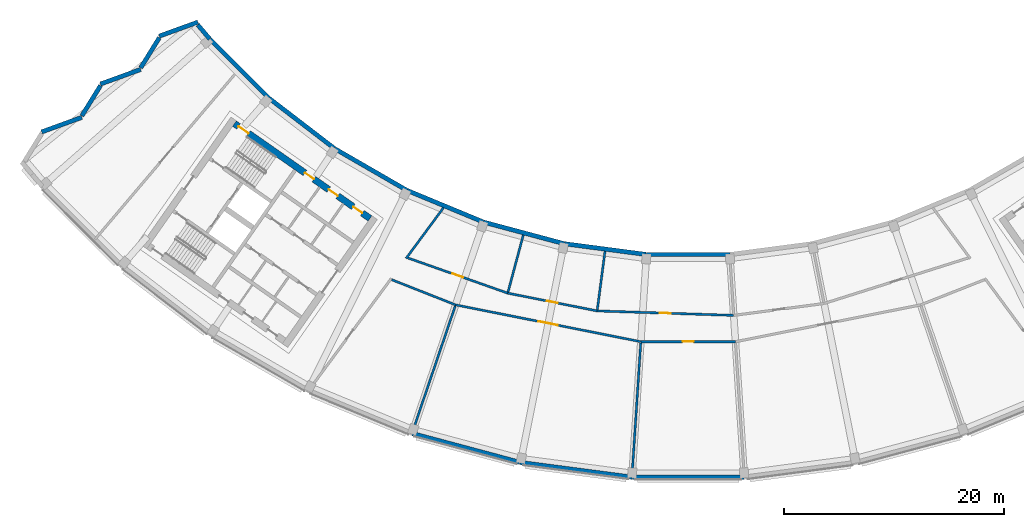
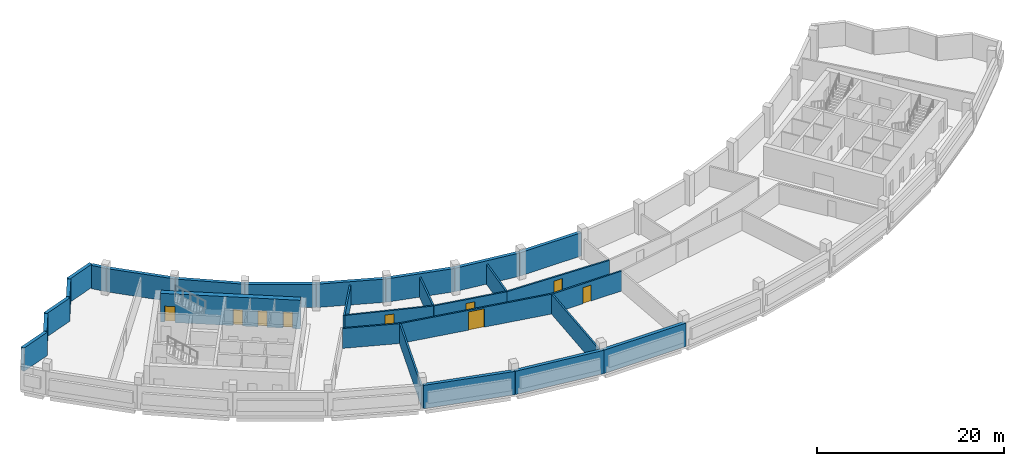
# One storey, part 4 of 11: 28 walls, 9 doors, 9 openings.
"""IFC4 building model written with IfcOpenShell, lengths in metres."""

from ifc_helpers import new_model, si_unit, direction, frame, frame_2d, origin, place, context, subcontext, project, spatial, rectangle, extrude, material, layer, layer_set, type_object, element, fill, save


model = new_model("IFC4")

# Units and contexts
model_context = context("Model", 3, precision=1e-05, world=origin(), true_north=direction((0.0, 1.0)))
body_context = subcontext(model_context, "Body", "Model", "MODEL_VIEW")
ifc_project = project(units=[si_unit("LENGTHUNIT", "METRE"), si_unit("AREAUNIT", "SQUARE_METRE"), si_unit("VOLUMEUNIT", "CUBIC_METRE"), si_unit("PLANEANGLEUNIT", "RADIAN"), si_unit("MASSUNIT", "GRAM", prefix="KILO")], contexts=[model_context])

# Site, building, storey
site_placement = place(None, origin())
site = spatial("IfcSite", under=ifc_project, at=site_placement, CompositionType="ELEMENT")
building_placement = place(site_placement, origin())
building = spatial("IfcBuilding", under=site, at=building_placement, Name="Qamariyya Broadcast Tower", CompositionType="ELEMENT")
storey_placement = place(building_placement, frame((0.0, 0.0, 306.699951171875)))
storey = spatial("IfcBuildingStorey", under=building, at=storey_placement, Name="L74", CompositionType="ELEMENT", Elevation=306.699951171875)

# Wall, openings, doors
ifc_material_1 = material(Name="Concrete C60/75", Category="concrete")
ifc_layer_1 = layer(ifc_material_1, 0.60009765625)
ifc_layer_set_1 = layer_set([ifc_layer_1], Name="Core wall 600 mm Concrete C60/75")
wall_type_1 = type_object("IfcWallType", Name="Core wall 600 mm Concrete C60/75", PredefinedType="SHEAR", material=ifc_layer_set_1)
wall_1_placement = place(storey_placement, frame((-28.940673828125, -54.447021484375, 0.0), z_axis=(0.0, 0.0, 1.0), x_axis=(-0.819153391756, 0.573574511963, 0.0)))
wall_1 = element("IfcWall", 1, at=wall_1_placement, inside=storey, type_object=wall_type_1, Name="k-W-L74-WI", PredefinedType="SHEAR", context=body_context, shape_type="SweptSolid", body=[
    extrude(rectangle(XDim=15.04541015625, YDim=0.60009765625, at=frame_2d((7.522705078125, 0.0))), origin(), (0.0, 0.0, 1.0), 3.75),
])
opening_1_placement = place(wall_1_placement, frame((0.85009765625, 0.0, 0.0)))
opening_1 = element("IfcOpeningElement", 2, at=opening_1_placement, cuts=wall_1, Name="Opening KD4-W7", PredefinedType="OPENING", context=body_context, shape_type="SweptSolid", body=[
    extrude(rectangle(XDim=1.0, YDim=2.10009765625, at=frame_2d((0.5, 1.050048828125))), frame((0.0, 0.31005859375, 0.0), z_axis=(0.0, -1.0, 0.0), x_axis=(1.0, 0.0, 0.0)), (0.0, 0.0, 1.0), 0.6201171875),
])
opening_2_placement = place(wall_1_placement, frame((3.574951171875, 0.0, 0.0)))
opening_2 = element("IfcOpeningElement", 3, at=opening_2_placement, cuts=wall_1, Name="Opening KD4-W8", PredefinedType="OPENING", context=body_context, shape_type="SweptSolid", body=[
    extrude(rectangle(XDim=1.0, YDim=2.10009765625, at=frame_2d((0.5, 1.050048828125))), frame((0.0, 0.31005859375, 0.0), z_axis=(0.0, -1.0, 0.0), x_axis=(1.0, 0.0, 0.0)), (0.0, 0.0, 1.0), 0.6201171875),
])
opening_3_placement = place(wall_1_placement, frame((6.22509765625, 0.0, 0.0)))
opening_3 = element("IfcOpeningElement", 4, at=opening_3_placement, cuts=wall_1, Name="Opening KD4-W9", PredefinedType="OPENING", context=body_context, shape_type="SweptSolid", body=[
    extrude(rectangle(XDim=1.0, YDim=2.10009765625, at=frame_2d((0.5, 1.050048828125))), frame((0.0, 0.31005859375, 0.0), z_axis=(0.0, -1.0, 0.0), x_axis=(1.0, 0.0, 0.0)), (0.0, 0.0, 1.0), 0.6201171875),
])
opening_4_placement = place(wall_1_placement, frame((13.495361328125, 0.0, 0.0)))
opening_4 = element("IfcOpeningElement", 5, at=opening_4_placement, cuts=wall_1, Name="Opening KD1-W1", PredefinedType="OPENING", context=body_context, shape_type="SweptSolid", body=[
    extrude(rectangle(XDim=1.10009765625, YDim=2.10009765625, at=frame_2d((0.550048828125, 1.050048828125))), frame((0.0, 0.31005859375, 0.0), z_axis=(0.0, -1.0, 0.0), x_axis=(1.0, 0.0, 0.0)), (0.0, 0.0, 1.0), 0.6201171875),
])
ifc_material_2 = material(Name="Steel fire-resisting door leaf", Category="steel")
door_type_1 = type_object("IfcDoorType", Name="Riser and plant door KD4", OperationType="SINGLE_SWING_LEFT", PredefinedType="DOOR", material=ifc_material_2)
door_1_placement = place(opening_1_placement, origin())
door_1 = element("IfcDoor", 6, at=door_1_placement, inside=storey, type_object=door_type_1, Name="k-W-L74-WI-D8", OperationType="SINGLE_SWING_LEFT", OverallHeight=2.10009765625, OverallWidth=1.0, PredefinedType="DOOR", context=body_context, shape_type="SweptSolid", body=[
    extrude(rectangle(XDim=1.0, YDim=2.10009765625, at=frame_2d((0.5, 1.050048828125))), frame((0.0, 0.02490234375, 0.0), z_axis=(0.0, -1.0, 0.0), x_axis=(1.0, 0.0, 0.0)), (0.0, 0.0, 1.0), 0.050048828125),
])
fill(opening_1, door_1)
door_2_placement = place(opening_2_placement, origin())
door_2 = element("IfcDoor", 7, at=door_2_placement, inside=storey, type_object=door_type_1, Name="k-W-L74-WI-D9", OperationType="SINGLE_SWING_RIGHT", OverallHeight=2.10009765625, OverallWidth=1.0, PredefinedType="DOOR", context=body_context, shape_type="SweptSolid", body=[
    extrude(rectangle(XDim=1.0, YDim=2.10009765625, at=frame_2d((0.5, 1.050048828125))), frame((0.0, 0.02490234375, 0.0), z_axis=(0.0, -1.0, 0.0), x_axis=(1.0, 0.0, 0.0)), (0.0, 0.0, 1.0), 0.050048828125),
])
fill(opening_2, door_2)
door_3_placement = place(opening_3_placement, origin())
door_3 = element("IfcDoor", 8, at=door_3_placement, inside=storey, type_object=door_type_1, Name="k-W-L74-WI-D10", OperationType="SINGLE_SWING_LEFT", OverallHeight=2.10009765625, OverallWidth=1.0, PredefinedType="DOOR", context=body_context, shape_type="SweptSolid", body=[
    extrude(rectangle(XDim=1.0, YDim=2.10009765625, at=frame_2d((0.5, 1.050048828125))), frame((0.0, 0.02490234375, 0.0), z_axis=(0.0, -1.0, 0.0), x_axis=(1.0, 0.0, 0.0)), (0.0, 0.0, 1.0), 0.050048828125),
])
fill(opening_3, door_3)
door_type_2 = type_object("IfcDoorType", Name="Stair door KD1", OperationType="SINGLE_SWING_LEFT", PredefinedType="DOOR", material=ifc_material_2)
door_4_placement = place(opening_4_placement, origin())
door_4 = element("IfcDoor", 9, at=door_4_placement, inside=storey, type_object=door_type_2, Name="k-W-L74-WI-D17", OperationType="SINGLE_SWING_RIGHT", OverallHeight=2.10009765625, OverallWidth=1.10009765625, PredefinedType="DOOR", context=body_context, shape_type="SweptSolid", body=[
    extrude(rectangle(XDim=1.10009765625, YDim=2.10009765625, at=frame_2d((0.550048828125, 1.050048828125))), frame((0.0, 0.02490234375, 0.0), z_axis=(0.0, -1.0, 0.0), x_axis=(1.0, 0.0, 0.0)), (0.0, 0.0, 1.0), 0.050048828125),
])
fill(opening_4, door_4)

# Wall
ifc_material_3 = material(Name="Masonry block wall", Category="masonry")
ifc_layer_2 = layer(ifc_material_3, 0.199951171875)
ifc_layer_set_2 = layer_set([ifc_layer_2], Name="Plant room wall 200 EI 120")
wall_type_2 = type_object("IfcWallType", Name="Plant room wall 200 EI 120", PredefinedType="PARTITIONING", material=ifc_layer_set_2)
wall_2_placement = place(storey_placement, frame((-26.96435546875, -60.01611328125, 0.0), z_axis=(0.0, 0.0, 1.0), x_axis=(0.930313487961, -0.366765339309, 0.0)))
element("IfcWall", 10, at=wall_2_placement, inside=storey, type_object=wall_type_2, Name="Partition L74-003", PredefinedType="PARTITIONING", context=body_context, shape_type="SweptSolid", body=[
    extrude(rectangle(XDim=6.249267578125, YDim=0.199951171875, at=frame_2d((3.12451171875, 0.0))), origin(), (0.0, 0.0, 1.0), 2.60009765625),
])

# Wall, opening, door
wall_3_placement = place(storey_placement, frame((-25.50390625, -58.035888671875, 0.0), z_axis=(0.0, 0.0, 1.0), x_axis=(0.943186956549, -0.332262494116, 0.0)))
wall_3 = element("IfcWall", 11, at=wall_3_placement, inside=storey, type_object=wall_type_2, Name="Partition L74-004", PredefinedType="PARTITIONING", context=body_context, shape_type="SweptSolid", body=[
    extrude(rectangle(XDim=9.642578125, YDim=0.199951171875, at=frame_2d((4.8212890625, 0.0))), origin(), (0.0, 0.0, 1.0), 2.60009765625),
])
opening_5_placement = place(wall_3_placement, frame((4.3212890625, 0.0, 0.0)))
opening_5 = element("IfcOpeningElement", 12, at=opening_5_placement, cuts=wall_3, Name="Opening L74-D06", PredefinedType="OPENING", context=body_context, shape_type="SweptSolid", body=[
    extrude(rectangle(XDim=1.0, YDim=2.10009765625, at=frame_2d((0.5, 1.050048828125))), frame((0.0, 0.10986328125, 0.0), z_axis=(0.0, -1.0, 0.0), x_axis=(1.0, 0.0, 0.0)), (0.0, 0.0, 1.0), 0.219970703125),
])
ifc_material_4 = material(Name="Insulated metal door leaf")
door_type_3 = type_object("IfcDoorType", Name="Plant door 1000 x 2100 FD120", OperationType="NOTDEFINED", PredefinedType="DOOR", material=ifc_material_4)
door_5_placement = place(opening_5_placement, origin())
door_5 = element("IfcDoor", 13, at=door_5_placement, inside=storey, type_object=door_type_3, Name="Door L74-D06", OperationType="SINGLE_SWING_RIGHT", OverallHeight=2.10009765625, OverallWidth=1.0, PredefinedType="DOOR", context=body_context, shape_type="SweptSolid", body=[
    extrude(rectangle(XDim=1.0, YDim=2.10009765625, at=frame_2d((0.5, 1.050048828125))), frame((0.0, 0.02490234375, 0.0), z_axis=(0.0, -1.0, 0.0), x_axis=(1.0, 0.0, 0.0)), (0.0, 0.0, 1.0), 0.050048828125),
])
fill(opening_5, door_5)

# Walls
wall_4_placement = place(storey_placement, frame((-25.12060546875, -74.002685546875, 0.0), z_axis=(0.0, 0.0, 1.0), x_axis=(0.321442509406, 0.946929096156, 0.0)))
element("IfcWall", 14, at=wall_4_placement, inside=storey, type_object=wall_type_2, Name="Partition L74-005", PredefinedType="PARTITIONING", context=body_context, shape_type="SweptSolid", body=[
    extrude(rectangle(XDim=12.250244140625, YDim=0.199951171875, at=frame_2d((6.125, 0.0))), origin(), (0.0, 0.0, 1.0), 2.60009765625),
])
wall_5_placement = place(storey_placement, frame((-22.251953125, -53.469482421875, 0.0), z_axis=(0.0, 0.0, 1.0), x_axis=(-0.593885763016, -0.804549377283, 0.0)))
element("IfcWall", 15, at=wall_5_placement, inside=storey, type_object=wall_type_2, Name="Partition L74-006", PredefinedType="PARTITIONING", context=body_context, shape_type="SweptSolid", body=[
    extrude(rectangle(XDim=5.734375, YDim=0.199951171875, at=frame_2d((2.8671875, 0.0))), origin(), (0.0, 0.0, 1.0), 2.60009765625),
])

# Wall, opening, door
wall_6_placement = place(storey_placement, frame((-4.303466796875, -65.6591796875, 0.0), z_axis=(0.0, 0.0, 1.0), x_axis=(-0.980785679695, 0.195088314632, 0.0)))
wall_6 = element("IfcWall", 16, at=wall_6_placement, inside=storey, type_object=wall_type_2, Name="Partition L74-007", PredefinedType="PARTITIONING", context=body_context, shape_type="SweptSolid", body=[
    extrude(rectangle(XDim=17.17724609375, YDim=0.199951171875, at=frame_2d((8.588623046875, 0.0))), origin(), (0.0, 0.0, 1.0), 2.60009765625),
])
opening_6_placement = place(wall_6_placement, frame((7.688720703125, 0.0, 0.0)))
opening_6 = element("IfcOpeningElement", 17, at=opening_6_placement, cuts=wall_6, Name="Opening L74-D02", PredefinedType="OPENING", context=body_context, shape_type="SweptSolid", body=[
    extrude(rectangle(XDim=1.800048828125, YDim=2.39990234375, at=frame_2d((0.89990234375, 1.199951171875))), frame((0.0, 0.10986328125, 0.0), z_axis=(0.0, -1.0, 0.0), x_axis=(1.0, 0.0, 0.0)), (0.0, 0.0, 1.0), 0.219970703125),
])
door_type_4 = type_object("IfcDoorType", Name="Plant double door 1800 x 2400 FD120", OperationType="NOTDEFINED", PredefinedType="DOOR", material=ifc_material_4)
door_6_placement = place(opening_6_placement, origin())
door_6 = element("IfcDoor", 18, at=door_6_placement, inside=storey, type_object=door_type_4, Name="Door L74-D02", OperationType="DOUBLE_DOOR_SINGLE_SWING", OverallHeight=2.39990234375, OverallWidth=1.800048828125, PredefinedType="DOOR", context=body_context, shape_type="SweptSolid", body=[
    extrude(rectangle(XDim=1.800048828125, YDim=2.39990234375, at=frame_2d((0.89990234375, 1.199951171875))), frame((0.0, 0.02490234375, 0.0), z_axis=(0.0, -1.0, 0.0), x_axis=(1.0, 0.0, 0.0)), (0.0, 0.0, 1.0), 0.050048828125),
])
fill(opening_6, door_6)

wall_7_placement = place(storey_placement, frame((-16.4091796875, -61.23974609375, 0.0), z_axis=(0.0, 0.0, 1.0), x_axis=(0.98078508005, -0.195091329256, 0.0)))
wall_7 = element("IfcWall", 19, at=wall_7_placement, inside=storey, type_object=wall_type_2, Name="Partition L74-008", PredefinedType="PARTITIONING", context=body_context, shape_type="SweptSolid", body=[
    extrude(rectangle(XDim=8.293212890625, YDim=0.199951171875, at=frame_2d((4.146484375, 0.0))), origin(), (0.0, 0.0, 1.0), 2.60009765625),
])
opening_7_placement = place(wall_7_placement, frame((3.646484375, 0.0, 0.0)))
opening_7 = element("IfcOpeningElement", 20, at=opening_7_placement, cuts=wall_7, Name="Opening L74-D07", PredefinedType="OPENING", context=body_context, shape_type="SweptSolid", body=[
    extrude(rectangle(XDim=1.0, YDim=2.10009765625, at=frame_2d((0.5, 1.050048828125))), frame((0.0, 0.10986328125, 0.0), z_axis=(0.0, -1.0, 0.0), x_axis=(1.0, 0.0, 0.0)), (0.0, 0.0, 1.0), 0.219970703125),
])
door_7_placement = place(opening_7_placement, origin())
door_7 = element("IfcDoor", 21, at=door_7_placement, inside=storey, type_object=door_type_3, Name="Door L74-D07", OperationType="SINGLE_SWING_RIGHT", OverallHeight=2.10009765625, OverallWidth=1.0, PredefinedType="DOOR", context=body_context, shape_type="SweptSolid", body=[
    extrude(rectangle(XDim=1.0, YDim=2.10009765625, at=frame_2d((0.5, 1.050048828125))), frame((0.0, 0.02490234375, 0.0), z_axis=(0.0, -1.0, 0.0), x_axis=(1.0, 0.0, 0.0)), (0.0, 0.0, 1.0), 0.050048828125),
])
fill(opening_7, door_7)

# Wall
wall_8_placement = place(storey_placement, frame((-14.992431640625, -55.952880859375, 0.0), z_axis=(0.0, 0.0, 1.0), x_axis=(-0.258847367931, -0.965918236765, 0.0)))
element("IfcWall", 22, at=wall_8_placement, inside=storey, type_object=wall_type_2, Name="Partition L74-009", PredefinedType="PARTITIONING", context=body_context, shape_type="SweptSolid", body=[
    extrude(rectangle(XDim=5.373291015625, YDim=0.199951171875, at=frame_2d((2.6865234375, 0.0))), origin(), (0.0, 0.0, 1.0), 2.60009765625),
])

# Wall, opening, door
wall_9_placement = place(storey_placement, frame((-8.275390625, -62.857666015625, 0.0), z_axis=(0.0, 0.0, 1.0), x_axis=(0.999464997707, -0.032706549158, 0.0)))
wall_9 = element("IfcWall", 23, at=wall_9_placement, inside=storey, type_object=wall_type_2, Name="Partition L74-010", PredefinedType="PARTITIONING", context=body_context, shape_type="SweptSolid", body=[
    extrude(rectangle(XDim=12.428466796875, YDim=0.199951171875, at=frame_2d((6.21435546875, 0.0))), origin(), (0.0, 0.0, 1.0), 2.60009765625),
])
opening_8_placement = place(wall_9_placement, frame((5.71435546875, 0.0, 0.0)))
opening_8 = element("IfcOpeningElement", 24, at=opening_8_placement, cuts=wall_9, Name="Opening L74-D08", PredefinedType="OPENING", context=body_context, shape_type="SweptSolid", body=[
    extrude(rectangle(XDim=1.0, YDim=2.10009765625, at=frame_2d((0.5, 1.050048828125))), frame((0.0, 0.10986328125, 0.0), z_axis=(0.0, -1.0, 0.0), x_axis=(1.0, 0.0, 0.0)), (0.0, 0.0, 1.0), 0.219970703125),
])
door_8_placement = place(opening_8_placement, origin())
door_8 = element("IfcDoor", 25, at=door_8_placement, inside=storey, type_object=door_type_3, Name="Door L74-D08", OperationType="SINGLE_SWING_RIGHT", OverallHeight=2.10009765625, OverallWidth=1.0, PredefinedType="DOOR", context=body_context, shape_type="SweptSolid", body=[
    extrude(rectangle(XDim=1.0, YDim=2.10009765625, at=frame_2d((0.5, 1.050048828125))), frame((0.0, 0.02490234375, 0.0), z_axis=(0.0, -1.0, 0.0), x_axis=(1.0, 0.0, 0.0)), (0.0, 0.0, 1.0), 0.050048828125),
])
fill(opening_8, door_8)

# Walls
wall_10_placement = place(storey_placement, frame((-7.56103515625, -57.430908203125, 0.0), z_axis=(0.0, 0.0, 1.0), x_axis=(-0.130485069567, -0.991450274406, 0.0)))
element("IfcWall", 26, at=wall_10_placement, inside=storey, type_object=wall_type_2, Name="Partition L74-011", PredefinedType="PARTITIONING", context=body_context, shape_type="SweptSolid", body=[
    extrude(rectangle(XDim=5.37353515625, YDim=0.199951171875, at=frame_2d((2.686767578125, 0.0))), origin(), (0.0, 0.0, 1.0), 2.60009765625),
])
wall_11_placement = place(storey_placement, frame((-5.111328125, -77.982666015625, 0.0), z_axis=(0.0, 0.0, 1.0), x_axis=(0.065409169082, 0.997858527347, 0.0)))
element("IfcWall", 27, at=wall_11_placement, inside=storey, type_object=wall_type_2, Name="Partition L74-012", PredefinedType="PARTITIONING", context=body_context, shape_type="SweptSolid", body=[
    extrude(rectangle(XDim=12.25, YDim=0.199951171875, at=frame_2d((6.125, 0.0))), origin(), (0.0, 0.0, 1.0), 2.60009765625),
])

# Wall, opening, door
wall_12_placement = place(storey_placement, frame((4.303466796875, -65.6591796875, 0.0), z_axis=(0.0, 0.0, 1.0), x_axis=(-1.0, 0.0, 0.0)))
wall_12 = element("IfcWall", 28, at=wall_12_placement, inside=storey, type_object=wall_type_2, Name="Partition L74-013", PredefinedType="PARTITIONING", context=body_context, shape_type="SweptSolid", body=[
    extrude(rectangle(XDim=8.60693359375, YDim=0.199951171875, at=frame_2d((4.303466796875, 0.0))), origin(), (0.0, 0.0, 1.0), 2.60009765625),
])
opening_9_placement = place(wall_12_placement, frame((3.803466796875, 0.0, 0.0)))
opening_9 = element("IfcOpeningElement", 29, at=opening_9_placement, cuts=wall_12, Name="Opening L74-D03", PredefinedType="OPENING", context=body_context, shape_type="SweptSolid", body=[
    extrude(rectangle(XDim=1.0, YDim=2.10009765625, at=frame_2d((0.5, 1.050048828125))), frame((0.0, 0.10986328125, 0.0), z_axis=(0.0, -1.0, 0.0), x_axis=(1.0, 0.0, 0.0)), (0.0, 0.0, 1.0), 0.219970703125),
])
door_9_placement = place(opening_9_placement, origin())
door_9 = element("IfcDoor", 30, at=door_9_placement, inside=storey, type_object=door_type_3, Name="Door L74-D03", OperationType="SINGLE_SWING_RIGHT", OverallHeight=2.10009765625, OverallWidth=1.0, PredefinedType="DOOR", context=body_context, shape_type="SweptSolid", body=[
    extrude(rectangle(XDim=1.0, YDim=2.10009765625, at=frame_2d((0.5, 1.050048828125))), frame((0.0, 0.02490234375, 0.0), z_axis=(0.0, -1.0, 0.0), x_axis=(1.0, 0.0, 0.0)), (0.0, 0.0, 1.0), 0.050048828125),
])
fill(opening_9, door_9)

# Walls
ifc_material_5 = material(Name="Terracotta", Category="masonry")
ifc_layer_3 = layer(ifc_material_5, 0.39990234375)
ifc_layer_set_3 = layer_set([ifc_layer_3], Name="Solid terracotta louvred band wall 400")
wall_type_3 = type_object("IfcWallType", Name="Solid terracotta louvred band wall 400", PredefinedType="SOLIDWALL", material=ifc_layer_set_3)
wall_13_placement = place(storey_placement, frame((-44.58642578125, -36.581787109375, 0.0), z_axis=(0.0, 0.0, 1.0), x_axis=(-0.940130056589, -0.340815898541, 0.0)))
element("IfcWall", 31, at=wall_13_placement, inside=storey, type_object=wall_type_3, Name="e-wl-L74-capW0", PredefinedType="SOLIDWALL", context=body_context, shape_type="SweptSolid", body=[
    extrude(rectangle(XDim=3.742919921875, YDim=0.39990234375, at=frame_2d((1.87158203125, 0.0))), origin(), (0.0, 0.0, 1.0), 3.050048828125),
])
wall_14_placement = place(storey_placement, frame((-48.104248046875, -38.00341796875, 0.0), z_axis=(0.0, 0.0, 1.0), x_axis=(-0.525678481137, -0.850683333838, 0.0)))
element("IfcWall", 32, at=wall_14_placement, inside=storey, type_object=wall_type_3, Name="e-wl-L74-capW1", PredefinedType="SOLIDWALL", context=body_context, shape_type="SweptSolid", body=[
    extrude(rectangle(XDim=3.220458984375, YDim=0.39990234375, at=frame_2d((1.6103515625, 0.0))), origin(), (0.0, 0.0, 1.0), 3.050048828125),
])
wall_15_placement = place(storey_placement, frame((-49.79638671875, -40.888916015625, 0.0), z_axis=(0.0, 0.0, 1.0), x_axis=(-0.940086069154, -0.340937212083, 0.0)))
element("IfcWall", 33, at=wall_15_placement, inside=storey, type_object=wall_type_3, Name="e-wl-L74-capW2", PredefinedType="SOLIDWALL", context=body_context, shape_type="SweptSolid", body=[
    extrude(rectangle(XDim=3.892578125, YDim=0.39990234375, at=frame_2d((1.9462890625, 0.0))), origin(), (0.0, 0.0, 1.0), 3.050048828125),
])
wall_16_placement = place(storey_placement, frame((-53.454833984375, -42.362060546875, 0.0), z_axis=(0.0, 0.0, 1.0), x_axis=(-0.525649491409, -0.850701247314, 0.0)))
element("IfcWall", 34, at=wall_16_placement, inside=storey, type_object=wall_type_3, Name="e-wl-L74-capW3", PredefinedType="SOLIDWALL", context=body_context, shape_type="SweptSolid", body=[
    extrude(rectangle(XDim=3.21923828125, YDim=0.39990234375, at=frame_2d((1.609619140625, 0.0))), origin(), (0.0, 0.0, 1.0), 3.050048828125),
])
wall_17_placement = place(storey_placement, frame((-55.14599609375, -45.24658203125, 0.0), z_axis=(0.0, 0.0, 1.0), x_axis=(-0.940075029039, -0.340967652099, 0.0)))
element("IfcWall", 35, at=wall_17_placement, inside=storey, type_object=wall_type_3, Name="e-wl-L74-capW4", PredefinedType="SOLIDWALL", context=body_context, shape_type="SweptSolid", body=[
    extrude(rectangle(XDim=3.893798828125, YDim=0.39990234375, at=frame_2d((1.94677734375, 0.0))), origin(), (0.0, 0.0, 1.0), 3.050048828125),
])
wall_18_placement = place(storey_placement, frame((-43.51123046875, -38.122802734375, 0.0), z_axis=(0.0, 0.0, 1.0), x_axis=(-0.645545650865, 0.763721685334, 0.0)))
element("IfcWall", 36, at=wall_18_placement, inside=storey, type_object=wall_type_3, Name="e-wl-L74-in00", PredefinedType="SOLIDWALL", context=body_context, shape_type="SweptSolid", body=[
    extrude(rectangle(XDim=1.68359375, YDim=0.39990234375, at=frame_2d((0.841796875, 0.0))), origin(), (0.0, 0.0, 1.0), 3.050048828125),
])
wall_19_placement = place(storey_placement, frame((-38.125732421875, -43.511962890625, 0.0), z_axis=(0.0, 0.0, 1.0), x_axis=(-0.707106781187, 0.707106781187, 0.0)))
element("IfcWall", 37, at=wall_19_placement, inside=storey, type_object=wall_type_3, Name="e-wl-L74-in10", PredefinedType="SOLIDWALL", context=body_context, shape_type="SweptSolid", body=[
    extrude(rectangle(XDim=7.6025390625, YDim=0.39990234375, at=frame_2d((3.80126953125, 0.0))), origin(), (0.0, 0.0, 1.0), 3.050048828125),
])
wall_20_placement = place(storey_placement, frame((-32.18017578125, -48.070068359375, 0.0), z_axis=(0.0, 0.0, 1.0), x_axis=(-0.793355236357, 0.608758957999, 0.0)))
element("IfcWall", 38, at=wall_20_placement, inside=storey, type_object=wall_type_3, Name="e-wl-L74-in20", PredefinedType="SOLIDWALL", context=body_context, shape_type="SweptSolid", body=[
    extrude(rectangle(XDim=7.4658203125, YDim=0.39990234375, at=frame_2d((3.73291015625, 0.0))), origin(), (0.0, 0.0, 1.0), 3.050048828125),
])
wall_21_placement = place(storey_placement, frame((-25.56494140625, -51.89697265625, 0.0), z_axis=(0.0, 0.0, 1.0), x_axis=(-0.866025463095, 0.499999897272, 0.0)))
element("IfcWall", 39, at=wall_21_placement, inside=storey, type_object=wall_type_3, Name="e-wl-L74-in30", PredefinedType="SOLIDWALL", context=body_context, shape_type="SweptSolid", body=[
    extrude(rectangle(XDim=7.6171875, YDim=0.39990234375, at=frame_2d((3.80859375, 0.0))), origin(), (0.0, 0.0, 1.0), 3.050048828125),
])
wall_22_placement = place(storey_placement, frame((-18.642333984375, -54.760986328125, 0.0), z_axis=(0.0, 0.0, 1.0), x_axis=(-0.923872151004, 0.382701252414, 0.0)))
element("IfcWall", 40, at=wall_22_placement, inside=storey, type_object=wall_type_3, Name="e-wl-L74-in40", PredefinedType="SOLIDWALL", context=body_context, shape_type="SweptSolid", body=[
    extrude(rectangle(XDim=7.4658203125, YDim=0.39990234375, at=frame_2d((3.73291015625, 0.0))), origin(), (0.0, 0.0, 1.0), 3.050048828125),
])
wall_23_placement = place(storey_placement, frame((-11.261962890625, -56.745361328125, 0.0), z_axis=(0.0, 0.0, 1.0), x_axis=(-0.965927307138, 0.258813518437, 0.0)))
element("IfcWall", 41, at=wall_23_placement, inside=storey, type_object=wall_type_3, Name="e-wl-L74-in50", PredefinedType="SOLIDWALL", context=body_context, shape_type="SweptSolid", body=[
    extrude(rectangle(XDim=7.6171875, YDim=0.39990234375, at=frame_2d((3.80859375, 0.0))), origin(), (0.0, 0.0, 1.0), 3.050048828125),
])
wall_24_placement = place(storey_placement, frame((-3.833984375, -57.719970703125, 0.0), z_axis=(0.0, 0.0, 1.0), x_axis=(-0.991442493144, 0.130544179452, 0.0)))
element("IfcWall", 42, at=wall_24_placement, inside=storey, type_object=wall_type_3, Name="e-wl-L74-in60", PredefinedType="SOLIDWALL", context=body_context, shape_type="SweptSolid", body=[
    extrude(rectangle(XDim=7.4658203125, YDim=0.39990234375, at=frame_2d((3.73291015625, 0.0))), origin(), (0.0, 0.0, 1.0), 3.050048828125),
])
wall_25_placement = place(storey_placement, frame((3.80859375, -57.7265625, 0.0), z_axis=(0.0, 0.0, 1.0), x_axis=(-1.0, 0.0, 0.0)))
element("IfcWall", 43, at=wall_25_placement, inside=storey, type_object=wall_type_3, Name="e-wl-L74-in70", PredefinedType="SOLIDWALL", context=body_context, shape_type="SweptSolid", body=[
    extrude(rectangle(XDim=7.6171875, YDim=0.39990234375, at=frame_2d((3.80859375, 0.0))), origin(), (0.0, 0.0, 1.0), 3.050048828125),
])
wall_26_placement = place(storey_placement, frame((-25.0712890625, -74.015380859375, 0.0), z_axis=(0.0, 0.0, 1.0), x_axis=(0.965928778267, -0.258808027921, 0.0)))
element("IfcWall", 44, at=wall_26_placement, inside=storey, type_object=wall_type_3, Name="e-wl-L74-out50", PredefinedType="SOLIDWALL", context=body_context, shape_type="SweptSolid", body=[
    extrude(rectangle(XDim=10.120849609375, YDim=0.39990234375, at=frame_2d((5.060546875, 0.0))), origin(), (0.0, 0.0, 1.0), 3.050048828125),
])
wall_27_placement = place(storey_placement, frame((-15.27099609375, -76.644775390625, 0.0), z_axis=(0.0, 0.0, 1.0), x_axis=(0.991444909321, -0.130525828027, 0.0)))
element("IfcWall", 45, at=wall_27_placement, inside=storey, type_object=wall_type_3, Name="e-wl-L74-out60", PredefinedType="SOLIDWALL", context=body_context, shape_type="SweptSolid", body=[
    extrude(rectangle(XDim=10.2724609375, YDim=0.39990234375, at=frame_2d((5.13623046875, 0.0))), origin(), (0.0, 0.0, 1.0), 3.050048828125),
])
wall_28_placement = place(storey_placement, frame((-5.060546875, -77.982177734375, 0.0), z_axis=(0.0, 0.0, 1.0), x_axis=(1.0, 0.0, 0.0)))
element("IfcWall", 46, at=wall_28_placement, inside=storey, type_object=wall_type_3, Name="e-wl-L74-out70", PredefinedType="SOLIDWALL", context=body_context, shape_type="SweptSolid", body=[
    extrude(rectangle(XDim=10.12109375, YDim=0.39990234375, at=frame_2d((5.060546875, 0.0))), origin(), (0.0, 0.0, 1.0), 3.050048828125),
])

save(model, "model.ifc")
